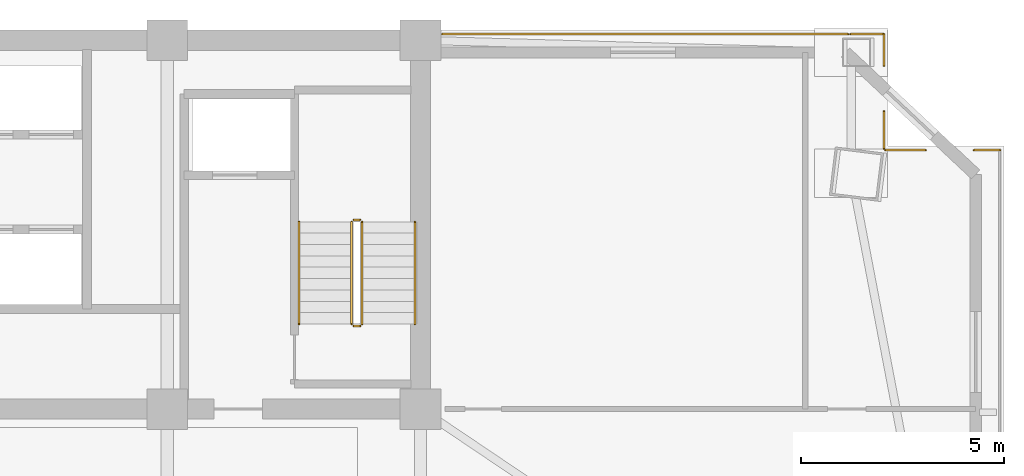
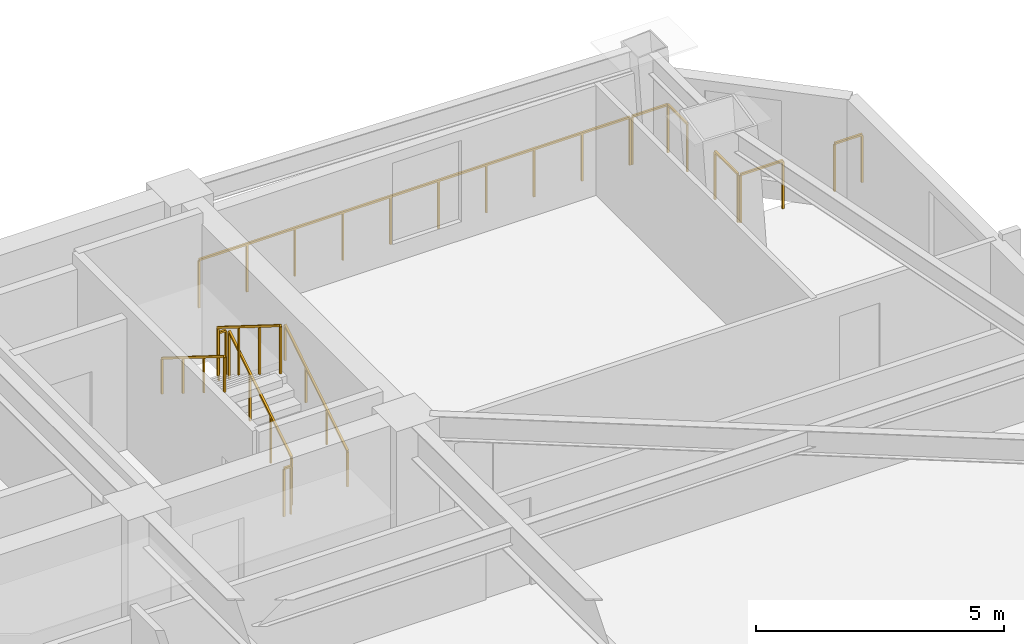
# One storey, part 15 of 15: 12 railings.
"""IFC4 building model written with IfcOpenShell, lengths in metres."""

import ifcopenshell
import ifcopenshell.guid

model = None  # the IFC model being written
_history = None  # IfcOwnerHistory: only IFC2X3 demands one
_inside = {}  # id of a spatial element -> (the spatial element, [elements in it])
_under = {}  # id of a project, library or spatial element -> (it, [spatial elements below it])
_declared = {}  # id of a project -> (the project, [libraries it declares])
_typed = {}  # id of a type object -> (the type object, [elements of that type])
_made_of = {}  # id of a material, layer set ... -> (it, [elements and type objects made of it])


def new_model(schema):
    """Start an empty IFC model of exactly this schema.

    Asked for "IFC4X3", IfcOpenShell would pick the latest addendum, in which some entities
    have other attributes; the version numbers below select the first issue.
    IFC2X3 requires an IfcOwnerHistory on every rooted entity: one is made here for all.
    """
    global model, _history
    if schema == "IFC4X3":
        model = ifcopenshell.file(schema_version=(4, 3, 0, 0))
    else:
        model = ifcopenshell.file(schema=schema)
    _inside.clear()
    _under.clear()
    _declared.clear()
    _typed.clear()
    _made_of.clear()
    _history = None
    if model.schema == "IFC2X3":
        org = make("IfcOrganization", Name="unknown")
        user = make(
            "IfcPersonAndOrganization",
            ThePerson=make("IfcPerson", FamilyName="unknown"),
            TheOrganization=org,
        )
        app = make(
            "IfcApplication",
            ApplicationDeveloper=org,
            Version="unknown",
            ApplicationFullName="unknown",
            ApplicationIdentifier="unknown",
        )
        _history = make(
            "IfcOwnerHistory",
            OwningUser=user,
            OwningApplication=app,
            ChangeAction="ADDED",
            CreationDate=0,
        )
    return model


def make(cls, **values):
    """One entity of the class cls with the attributes given. An attribute that is None is left unset."""
    return model.create_entity(
        cls, **{name: value for name, value in values.items() if value is not None}
    )


def rooted(cls, **values):
    """An entity with a GlobalId (a new one), such as an element, a storey or a relation."""
    return make(cls, GlobalId=ifcopenshell.guid.new(), OwnerHistory=_history, **values)


def si_unit(unit_type, name, prefix=None):
    """IfcSIUnit, for example si_unit("LENGTHUNIT", "METRE", prefix="MILLI")."""
    return make("IfcSIUnit", UnitType=unit_type, Prefix=prefix, Name=name)


def assignment(units):
    """IfcUnitAssignment: the units of a project."""
    return None if units is None else make("IfcUnitAssignment", Units=units)


def point(xyz):
    """IfcCartesianPoint."""
    return None if xyz is None else make("IfcCartesianPoint", Coordinates=xyz)


def direction(xyz):
    """IfcDirection."""
    return None if xyz is None else make("IfcDirection", DirectionRatios=xyz)


def frame(location, z_axis=None, x_axis=None):
    """IfcAxis2Placement3D, a coordinate frame: its origin and axes. An axis left out is left unset."""
    return make(
        "IfcAxis2Placement3D",
        Location=point(location),
        Axis=direction(z_axis),
        RefDirection=direction(x_axis),
    )


def frame_2d(location, x_axis=None):
    """IfcAxis2Placement2D, a coordinate frame in the plane: its origin and x axis."""
    return make(
        "IfcAxis2Placement2D", Location=point(location), RefDirection=direction(x_axis)
    )


def origin():
    """The frame at (0, 0, 0) with its axes left unset."""
    return frame((0.0, 0.0, 0.0))


def origin_2d():
    """The frame at (0, 0) in the plane with its x axis left unset."""
    return frame_2d((0.0, 0.0))


def place(relative_to, where):
    """IfcLocalPlacement: puts the frame where relative to a parent placement (None: the world)."""
    return make(
        "IfcLocalPlacement", PlacementRelTo=relative_to, RelativePlacement=where
    )


def context(
    kind, dimensions, precision=None, world=None, true_north=None, identifier=None
):
    """IfcGeometricRepresentationContext, for example the 3D "Model" context."""
    return make(
        "IfcGeometricRepresentationContext",
        ContextIdentifier=identifier,
        ContextType=kind,
        CoordinateSpaceDimension=dimensions,
        Precision=precision,
        WorldCoordinateSystem=world,
        TrueNorth=true_north,
    )


def subcontext(parent, identifier, kind, view, scale=None):
    """IfcGeometricRepresentationSubContext, for example "Body" below "Model"."""
    return make(
        "IfcGeometricRepresentationSubContext",
        ContextIdentifier=identifier,
        ContextType=kind,
        ParentContext=parent,
        TargetScale=scale,
        TargetView=view,
    )


def project(units=None, contexts=None):
    """IfcProject with its units and contexts."""
    return rooted(
        "IfcProject",
        Name="project",
        RepresentationContexts=contexts,
        UnitsInContext=assignment(units),
    )


def spatial(cls, under=None, at=None, **own):
    """A site, building, storey or space (cls), placed at a placement, below another one or the project."""
    s = rooted(cls, ObjectPlacement=at, **own)
    if under is not None:
        _under.setdefault(under.id(), (under, []))[1].append(s)
    return s


def profile(cls, at=None, kind="AREA", **sizes):
    """A parametric profile (cls). Its sizes go by their IFC names, for example OverallWidth=200.0."""
    return make(cls, ProfileType=kind, Position=at, **sizes)


def rectangle(**sizes):
    """IfcRectangleProfileDef."""
    return profile("IfcRectangleProfileDef", **sizes)


def extrude(swept, where, along, depth):
    """IfcExtrudedAreaSolid: the profile swept, set in the frame where, extruded along a direction by depth."""
    return make(
        "IfcExtrudedAreaSolid",
        SweptArea=swept,
        Position=where,
        ExtrudedDirection=direction(along),
        Depth=depth,
    )


def shape(context_of_items, identifier, shape_type, items):
    """IfcShapeRepresentation: the items that make up one representation, for example the "Body"."""
    return make(
        "IfcShapeRepresentation",
        ContextOfItems=context_of_items,
        RepresentationIdentifier=identifier,
        RepresentationType=shape_type,
        Items=items,
    )


def material(Name=None, Category=None):
    """IfcMaterial."""
    return make("IfcMaterial", Name=Name, Category=Category)


def made_of(thing, what):
    """Note that an element or type object is made of a material, layer set ...; save() writes the relation."""
    if what is not None:
        _made_of.setdefault(what.id(), (what, []))[1].append(thing)
    return thing


def type_object(cls, material=None, **own):
    """A type object (cls), such as IfcWallType, which elements share."""
    return made_of(rooted(cls, **own), material)


def element(
    cls,
    number,
    at=None,
    inside=None,
    cuts=None,
    type_object=None,
    material=None,
    context=None,
    identifier="Body",
    shape_type=None,
    held_by="IfcProductDefinitionShape",
    body=None,
    shapes=None,
    **own,
):
    """One element of the class cls, such as IfcWall. Its Tag is "e" and its number.

    at: its placement. inside: the storey or other place that contains it. cuts: it is an
    opening in that element (IfcRelVoidsElement). A single representation is given by context,
    identifier, shape_type and body (its items); several are given by shapes. held_by: the class
    of the entity that holds the representations. save() writes the other relations.
    """
    e = rooted(cls, Tag="e%d" % number, ObjectPlacement=at, **own)
    if body is not None:
        shapes = [shape(context, identifier, shape_type, body)]
    if shapes is not None:
        e.Representation = make(held_by, Representations=shapes)
    if inside is not None:
        _inside.setdefault(inside.id(), (inside, []))[1].append(e)
    if cuts is not None:
        rooted(
            "IfcRelVoidsElement", RelatingBuildingElement=cuts, RelatedOpeningElement=e
        )
    if type_object is not None:
        _typed.setdefault(type_object.id(), (type_object, []))[1].append(e)
    return made_of(e, material)


def aggregate(whole, parts):
    """IfcRelAggregates: a whole, such as a stair, and the parts it consists of."""
    return rooted("IfcRelAggregates", RelatingObject=whole, RelatedObjects=parts)


def save(model, path):
    """Write the relations noted so far, then the file.

    IfcRelAggregates (storeys below a building ...), IfcRelContainedInSpatialStructure (elements
    in a storey), IfcRelDefinesByType, IfcRelAssociatesMaterial and IfcRelDeclares: one each for
    every whole, place, type object, material and project.
    """
    for whole, parts in _under.values():
        aggregate(whole, parts)
    for where, things in _inside.values():
        rooted(
            "IfcRelContainedInSpatialStructure",
            RelatedElements=things,
            RelatingStructure=where,
        )
    for kind, things in _typed.values():
        rooted("IfcRelDefinesByType", RelatedObjects=things, RelatingType=kind)
    for what, things in _made_of.values():
        rooted("IfcRelAssociatesMaterial", RelatedObjects=things, RelatingMaterial=what)
    for by, libraries in _declared.values():
        rooted("IfcRelDeclares", RelatingContext=by, RelatedDefinitions=libraries)
    model.write(path)


model = new_model("IFC4")

# Units and contexts
model_context = context("Model", 3, precision=1e-05, world=origin(), true_north=direction((0.0, 1.0)))
body_context = subcontext(model_context, "Body", "Model", "MODEL_VIEW")
ifc_project = project(units=[si_unit("LENGTHUNIT", "METRE"), si_unit("AREAUNIT", "SQUARE_METRE"), si_unit("VOLUMEUNIT", "CUBIC_METRE"), si_unit("PLANEANGLEUNIT", "RADIAN"), si_unit("MASSUNIT", "GRAM", prefix="KILO")], contexts=[model_context])

# Site, building, storey
site_placement = place(None, origin())
site = spatial("IfcSite", under=ifc_project, at=site_placement, CompositionType="ELEMENT")
building_placement = place(site_placement, origin())
building = spatial("IfcBuilding", under=site, at=building_placement, Name="Giltprow Tower", CompositionType="ELEMENT")
storey_placement = place(building_placement, frame((0.0, 0.0, 187.699951171875)))
storey = spatial("IfcBuildingStorey", under=building, at=storey_placement, Name="L47", CompositionType="ELEMENT", Elevation=187.699951171875)

# Railings
ifc_material = material(Name="Anodized bronze", Category="metal")
railing_type_1 = type_object("IfcRailingType", Name="RAIL-BALC-GUARD-1200", PredefinedType="BALUSTRADE", material=ifc_material)
railing_1_placement = place(storey_placement, frame((51.0849609375, 46.699951171875, 0.0)))
element("IfcRailing", 1, at=railing_1_placement, inside=storey, type_object=railing_type_1, Name="L47 Corner Apron Edge Balustrade 12", PredefinedType="BALUSTRADE", context=body_context, shape_type="SweptSolid", body=[
    extrude(rectangle(XDim=0.048095703125, YDim=0.048095703125, at=origin_2d()), frame((0.0, 0.0, 1.17578125), z_axis=(1.0, 0.0, 0.0), x_axis=(0.0, 1.0, 0.0)), (0.0, 0.0, 1.0), 10.01708984375),
    extrude(rectangle(XDim=0.0419921875, YDim=0.0419921875, at=origin_2d()), origin(), (0.0, 0.0, 1.0), 1.15185546875),
    extrude(rectangle(XDim=0.0419921875, YDim=0.0419921875, at=origin_2d()), frame((1.113037109375, 0.0, 0.0)), (0.0, 0.0, 1.0), 1.15185546875),
    extrude(rectangle(XDim=0.0419921875, YDim=0.0419921875, at=origin_2d()), frame((2.22607421875, 0.0, 0.0)), (0.0, 0.0, 1.0), 1.15185546875),
    extrude(rectangle(XDim=0.0419921875, YDim=0.0419921875, at=origin_2d()), frame((3.339111328125, 0.0, 0.0)), (0.0, 0.0, 1.0), 1.15185546875),
    extrude(rectangle(XDim=0.0419921875, YDim=0.0419921875, at=origin_2d()), frame((4.4521484375, 0.0, 0.0)), (0.0, 0.0, 1.0), 1.15185546875),
    extrude(rectangle(XDim=0.0419921875, YDim=0.0419921875, at=origin_2d()), frame((5.56494140625, 0.0, 0.0)), (0.0, 0.0, 1.0), 1.15185546875),
    extrude(rectangle(XDim=0.0419921875, YDim=0.0419921875, at=origin_2d()), frame((6.677978515625, 0.0, 0.0)), (0.0, 0.0, 1.0), 1.15185546875),
    extrude(rectangle(XDim=0.0419921875, YDim=0.0419921875, at=origin_2d()), frame((7.791015625, 0.0, 0.0)), (0.0, 0.0, 1.0), 1.15185546875),
    extrude(rectangle(XDim=0.0419921875, YDim=0.0419921875, at=origin_2d()), frame((8.904052734375, 0.0, 0.0)), (0.0, 0.0, 1.0), 1.15185546875),
    extrude(rectangle(XDim=0.0419921875, YDim=0.0419921875, at=origin_2d()), frame((10.01708984375, 0.0, 0.0)), (0.0, 0.0, 1.0), 1.15185546875),
])
railing_2_placement = place(storey_placement, frame((61.156005859375, 46.699951171875, 0.0)))
element("IfcRailing", 2, at=railing_2_placement, inside=storey, type_object=railing_type_1, Name="L47 Corner Apron Edge Balustrade 13", PredefinedType="BALUSTRADE", context=body_context, shape_type="SweptSolid", body=[
    extrude(rectangle(XDim=0.048095703125, YDim=0.048095703125, at=origin_2d()), frame((0.0, 0.0, 1.17578125), z_axis=(1.0, 0.0, 0.0), x_axis=(0.0, 1.0, 0.0)), (0.0, 0.0, 1.0), 0.830078125),
    extrude(rectangle(XDim=0.0419921875, YDim=0.0419921875, at=origin_2d()), origin(), (0.0, 0.0, 1.0), 1.15185546875),
    extrude(rectangle(XDim=0.0419921875, YDim=0.0419921875, at=origin_2d()), frame((0.830078125, 0.0, 0.0)), (0.0, 0.0, 1.0), 1.15185546875),
])
railing_3_placement = place(storey_placement, frame((61.986083984375, 46.699951171875, 0.0)))
element("IfcRailing", 3, at=railing_3_placement, inside=storey, type_object=railing_type_1, Name="L47 Corner Apron Edge Balustrade 14", PredefinedType="BALUSTRADE", context=body_context, shape_type="SweptSolid", body=[
    extrude(rectangle(XDim=0.048095703125, YDim=0.048095703125, at=origin_2d()), frame((0.0, 0.0, 1.17578125), z_axis=(0.0, -1.0, 0.0), x_axis=(1.0, 0.0, 0.0)), (0.0, 0.0, 1.0), 0.779052734375),
    extrude(rectangle(XDim=0.0419921875, YDim=0.0419921875, at=origin_2d()), origin(), (0.0, 0.0, 1.0), 1.15185546875),
    extrude(rectangle(XDim=0.0419921875, YDim=0.0419921875, at=origin_2d()), frame((0.0, -0.779052734375, 0.0)), (0.0, 0.0, 1.0), 1.15185546875),
])
railing_4_placement = place(storey_placement, frame((61.986083984375, 44.797119140625, 0.0)))
element("IfcRailing", 4, at=railing_4_placement, inside=storey, type_object=railing_type_1, Name="L47 Corner Apron Edge Balustrade 15", PredefinedType="BALUSTRADE", context=body_context, shape_type="SweptSolid", body=[
    extrude(rectangle(XDim=0.048095703125, YDim=0.048095703125, at=origin_2d()), frame((0.0, 0.0, 1.17578125), z_axis=(0.0, -1.0, 0.0), x_axis=(1.0, 0.0, 0.0)), (0.0, 0.0, 1.0), 0.923095703125),
    extrude(rectangle(XDim=0.0419921875, YDim=0.0419921875, at=origin_2d()), origin(), (0.0, 0.0, 1.0), 1.15185546875),
    extrude(rectangle(XDim=0.0419921875, YDim=0.0419921875, at=origin_2d()), frame((0.0, -0.923095703125, 0.0)), (0.0, 0.0, 1.0), 1.15185546875),
])
railing_5_placement = place(storey_placement, frame((62.02099609375, 43.839111328125, 0.0)))
element("IfcRailing", 5, at=railing_5_placement, inside=storey, type_object=railing_type_1, Name="L47 Corner Apron Edge Balustrade 16", PredefinedType="BALUSTRADE", context=body_context, shape_type="SweptSolid", body=[
    extrude(rectangle(XDim=0.048095703125, YDim=0.048095703125, at=origin_2d()), frame((0.0, 0.0, 1.17578125), z_axis=(1.0, 0.0, 0.0), x_axis=(0.0, 1.0, 0.0)), (0.0, 0.0, 1.0), 0.987060546875),
    extrude(rectangle(XDim=0.0419921875, YDim=0.0419921875, at=origin_2d()), origin(), (0.0, 0.0, 1.0), 1.15185546875),
    extrude(rectangle(XDim=0.0419921875, YDim=0.0419921875, at=origin_2d()), frame((0.987060546875, 0.0, 0.0)), (0.0, 0.0, 1.0), 1.15185546875),
])
railing_6_placement = place(storey_placement, frame((64.20703125, 43.839111328125, 0.0)))
element("IfcRailing", 6, at=railing_6_placement, inside=storey, type_object=railing_type_1, Name="L47 Corner Apron Edge Balustrade 17", PredefinedType="BALUSTRADE", context=body_context, shape_type="SweptSolid", body=[
    extrude(rectangle(XDim=0.048095703125, YDim=0.048095703125, at=origin_2d()), frame((0.0, 0.0, 1.17578125), z_axis=(1.0, 0.0, 0.0), x_axis=(0.0, 1.0, 0.0)), (0.0, 0.0, 1.0), 0.639892578125),
    extrude(rectangle(XDim=0.0419921875, YDim=0.0419921875, at=origin_2d()), origin(), (0.0, 0.0, 1.0), 1.15185546875),
    extrude(rectangle(XDim=0.0419921875, YDim=0.0419921875, at=origin_2d()), frame((0.639892578125, 0.0, 0.0)), (0.0, 0.0, 1.0), 1.15185546875),
])
railing_type_2 = type_object("IfcRailingType", Name="RAIL-STAIR-GUARD-1200", PredefinedType="GUARDRAIL", material=ifc_material)
railing_7_placement = place(storey_placement, frame((49.110107421875, 39.550048828125, 0.175048828125)))
element("IfcRailing", 7, at=railing_7_placement, inside=storey, type_object=railing_type_2, Name="L47 ST-3 stair guard 1", PredefinedType="GUARDRAIL", context=body_context, shape_type="SweptSolid", body=[
    extrude(rectangle(XDim=0.048095703125, YDim=0.048095703125, at=origin_2d()), frame((0.0, 0.0, 1.17578125), z_axis=(0.0, 0.848007534815, 0.529984170421), x_axis=(-1.0, 0.0, 0.0)), (0.0, 0.0, 1.0), 2.9716796875),
    extrude(rectangle(XDim=0.0419921875, YDim=0.0419921875, at=origin_2d()), origin(), (0.0, 0.0, 1.0), 1.15185546875),
    extrude(rectangle(XDim=0.0419921875, YDim=0.0419921875, at=origin_2d()), frame((0.0, 0.840087890625, 0.52490234375)), (0.0, 0.0, 1.0), 1.15185546875),
    extrude(rectangle(XDim=0.0419921875, YDim=0.0419921875, at=origin_2d()), frame((0.0, 1.679931640625, 1.050048828125)), (0.0, 0.0, 1.0), 1.15185546875),
    extrude(rectangle(XDim=0.0419921875, YDim=0.0419921875, at=origin_2d()), frame((0.0, 2.52001953125, 1.574951171875)), (0.0, 0.0, 1.0), 1.15185546875),
])
railing_8_placement = place(storey_placement, frame((49.06005859375, 42.1201171875, 1.75)))
element("IfcRailing", 8, at=railing_8_placement, inside=storey, type_object=railing_type_2, Name="L47 ST-3 stair guard 2", PredefinedType="GUARDRAIL", context=body_context, shape_type="SweptSolid", body=[
    extrude(rectangle(XDim=0.048095703125, YDim=0.048095703125, at=origin_2d()), frame((0.0, 0.0, 1.17578125), z_axis=(-1.0, 0.0, 0.0), x_axis=(0.0, -1.0, 0.0)), (0.0, 0.0, 1.0), 0.16015625),
    extrude(rectangle(XDim=0.0419921875, YDim=0.0419921875, at=origin_2d()), origin(), (0.0, 0.0, 1.0), 1.15185546875),
    extrude(rectangle(XDim=0.0419921875, YDim=0.0419921875, at=origin_2d()), frame((-0.16015625, 0.0, 0.0)), (0.0, 0.0, 1.0), 1.15185546875),
])
railing_9_placement = place(storey_placement, frame((48.85009765625, 42.070068359375, 1.925048828125)))
element("IfcRailing", 9, at=railing_9_placement, inside=storey, type_object=railing_type_2, Name="L47 ST-3 stair guard 3", PredefinedType="GUARDRAIL", context=body_context, shape_type="SweptSolid", body=[
    extrude(rectangle(XDim=0.048095703125, YDim=0.048095703125, at=origin_2d()), frame((0.0, 0.0, 1.17578125), z_axis=(0.0, -0.848007534815, 0.529984170421), x_axis=(1.0, 0.0, 0.0)), (0.0, 0.0, 1.0), 2.9716796875),
    extrude(rectangle(XDim=0.0419921875, YDim=0.0419921875, at=origin_2d()), origin(), (0.0, 0.0, 1.0), 1.15185546875),
    extrude(rectangle(XDim=0.0419921875, YDim=0.0419921875, at=origin_2d()), frame((0.0, -0.840087890625, 0.52490234375)), (0.0, 0.0, 1.0), 1.15185546875),
    extrude(rectangle(XDim=0.0419921875, YDim=0.0419921875, at=origin_2d()), frame((0.0, -1.679931640625, 1.050048828125)), (0.0, 0.0, 1.0), 1.15185546875),
    extrude(rectangle(XDim=0.0419921875, YDim=0.0419921875, at=origin_2d()), frame((0.0, -2.52001953125, 1.574951171875)), (0.0, 0.0, 1.0), 1.15185546875),
])
railing_10_placement = place(storey_placement, frame((49.06005859375, 39.5, 0.0)))
element("IfcRailing", 10, at=railing_10_placement, inside=storey, type_object=railing_type_2, Name="L47 ST-3 stair guard 4", PredefinedType="GUARDRAIL", context=body_context, shape_type="SweptSolid", body=[
    extrude(rectangle(XDim=0.048095703125, YDim=0.048095703125, at=origin_2d()), frame((0.0, 0.0, 1.17578125), z_axis=(-1.0, 0.0, 0.0), x_axis=(0.0, -1.0, 0.0)), (0.0, 0.0, 1.0), 0.16015625),
    extrude(rectangle(XDim=0.0419921875, YDim=0.0419921875, at=origin_2d()), origin(), (0.0, 0.0, 1.0), 1.15185546875),
    extrude(rectangle(XDim=0.0419921875, YDim=0.0419921875, at=origin_2d()), frame((-0.16015625, 0.0, 0.0)), (0.0, 0.0, 1.0), 1.15185546875),
])
railing_type_3 = type_object("IfcRailingType", Name="RAIL-STAIR-HAND-900", PredefinedType="HANDRAIL", material=ifc_material)
railing_11_placement = place(storey_placement, frame((50.409912109375, 39.550048828125, 0.175048828125)))
element("IfcRailing", 11, at=railing_11_placement, inside=storey, type_object=railing_type_3, Name="L47 ST-3 stair handrail 1", PredefinedType="HANDRAIL", context=body_context, shape_type="SweptSolid", body=[
    extrude(rectangle(XDim=0.048095703125, YDim=0.048095703125, at=origin_2d()), frame((0.0, 0.0, 0.8759765625), z_axis=(0.0, 0.848007534815, 0.529984170421), x_axis=(-1.0, 0.0, 0.0)), (0.0, 0.0, 1.0), 2.9716796875),
    extrude(rectangle(XDim=0.0419921875, YDim=0.0419921875, at=origin_2d()), origin(), (0.0, 0.0, 1.0), 0.851806640625),
    extrude(rectangle(XDim=0.0419921875, YDim=0.0419921875, at=origin_2d()), frame((0.0, 0.840087890625, 0.52490234375)), (0.0, 0.0, 1.0), 0.851806640625),
    extrude(rectangle(XDim=0.0419921875, YDim=0.0419921875, at=origin_2d()), frame((0.0, 1.679931640625, 1.050048828125)), (0.0, 0.0, 1.0), 0.851806640625),
    extrude(rectangle(XDim=0.0419921875, YDim=0.0419921875, at=origin_2d()), frame((0.0, 2.52001953125, 1.574951171875)), (0.0, 0.0, 1.0), 0.851806640625),
])
railing_12_placement = place(storey_placement, frame((47.550048828125, 42.070068359375, 1.925048828125)))
element("IfcRailing", 12, at=railing_12_placement, inside=storey, type_object=railing_type_3, Name="L47 ST-3 stair handrail 2", PredefinedType="HANDRAIL", context=body_context, shape_type="SweptSolid", body=[
    extrude(rectangle(XDim=0.048095703125, YDim=0.048095703125, at=origin_2d()), frame((0.0, 0.0, 0.8759765625), z_axis=(0.0, -0.848007534815, 0.529984170421), x_axis=(1.0, 0.0, 0.0)), (0.0, 0.0, 1.0), 2.9716796875),
    extrude(rectangle(XDim=0.0419921875, YDim=0.0419921875, at=origin_2d()), origin(), (0.0, 0.0, 1.0), 0.851806640625),
    extrude(rectangle(XDim=0.0419921875, YDim=0.0419921875, at=origin_2d()), frame((0.0, -0.840087890625, 0.52490234375)), (0.0, 0.0, 1.0), 0.851806640625),
    extrude(rectangle(XDim=0.0419921875, YDim=0.0419921875, at=origin_2d()), frame((0.0, -1.679931640625, 1.050048828125)), (0.0, 0.0, 1.0), 0.851806640625),
    extrude(rectangle(XDim=0.0419921875, YDim=0.0419921875, at=origin_2d()), frame((0.0, -2.52001953125, 1.574951171875)), (0.0, 0.0, 1.0), 0.851806640625),
])

save(model, "model.ifc")
